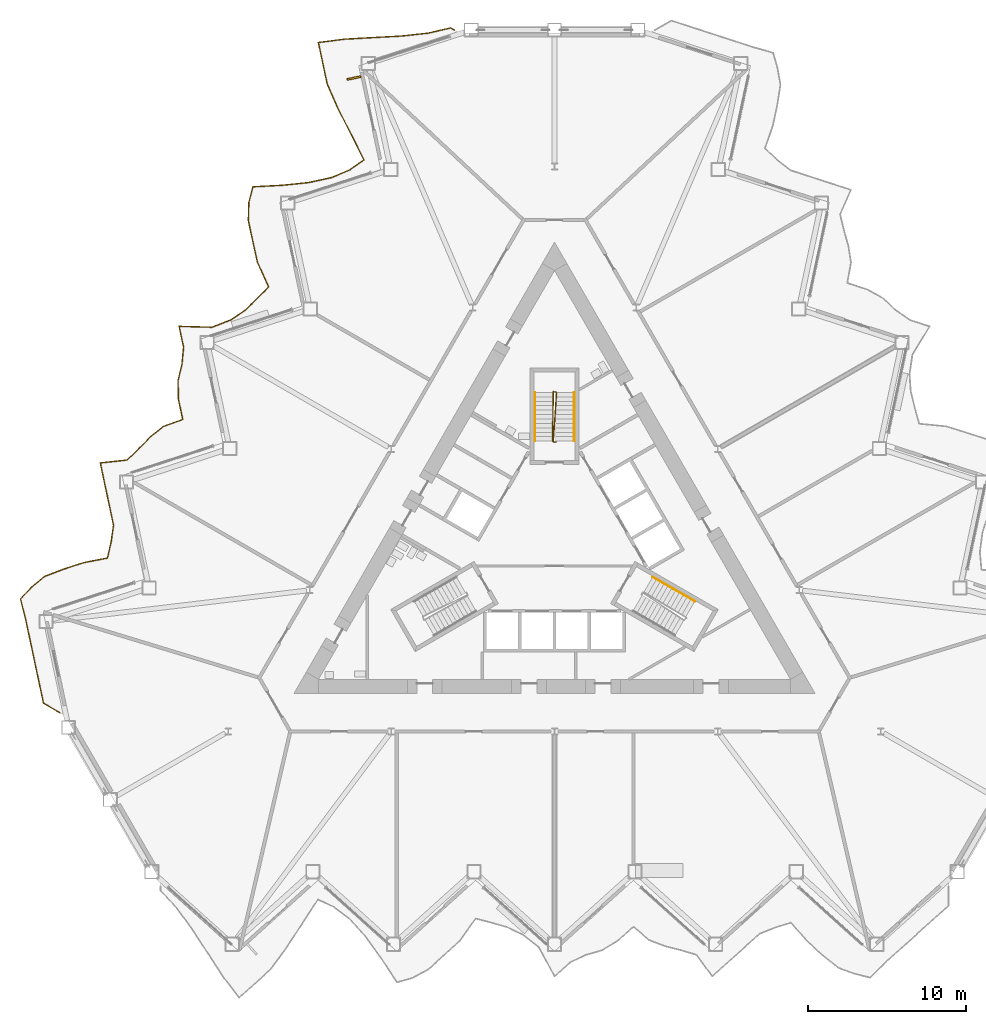
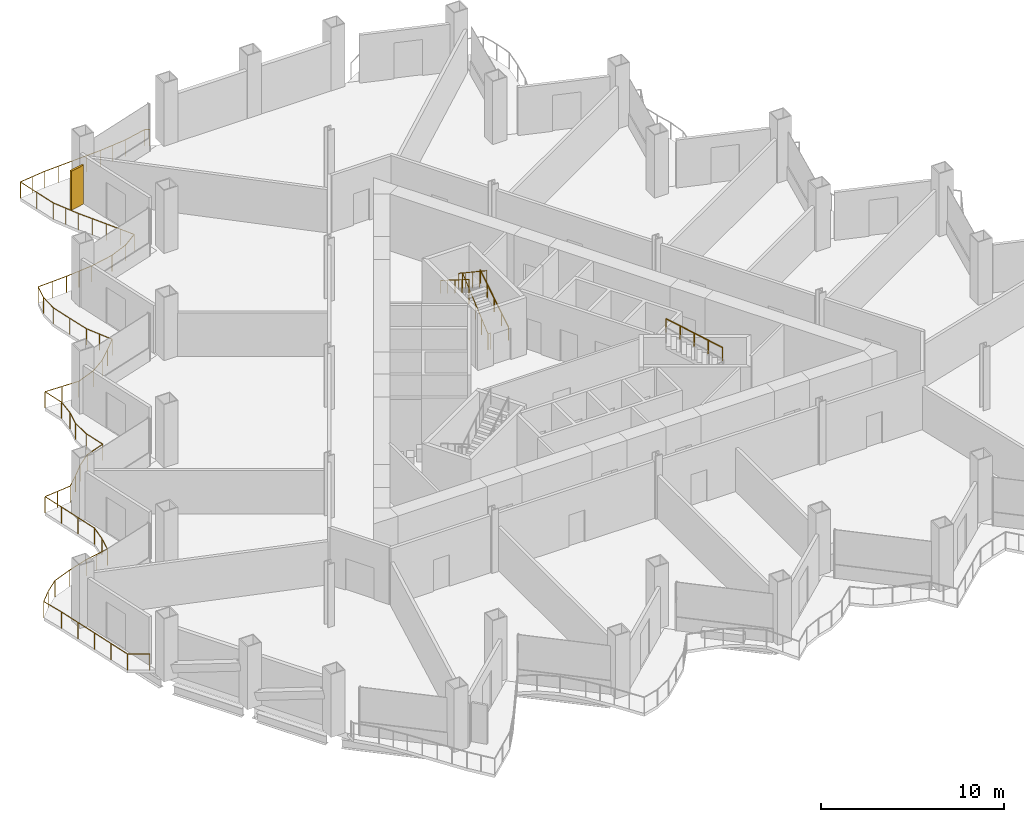
# One storey, part 18 of 21: 5 railings, 1 shading device.
"""IFC4 building model written with IfcOpenShell, lengths in metres."""

from ifc_helpers import new_model, si_unit, direction, frame, origin, origin_2d, place, context, subcontext, project, spatial, rectangle, circle, extrude, material, layer, layer_set, type_object, element, save


model = new_model("IFC4")

# Units and contexts
model_context = context("Model", 3, precision=1e-05, world=origin(), true_north=direction((0.0, 1.0)))
body_context = subcontext(model_context, "Body", "Model", "MODEL_VIEW")
ifc_project = project(units=[si_unit("LENGTHUNIT", "METRE"), si_unit("AREAUNIT", "SQUARE_METRE"), si_unit("VOLUMEUNIT", "CUBIC_METRE"), si_unit("PLANEANGLEUNIT", "RADIAN"), si_unit("MASSUNIT", "GRAM", prefix="KILO")], contexts=[model_context])

# Site, building, storey
site_placement = place(None, origin())
site = spatial("IfcSite", under=ifc_project, at=site_placement, CompositionType="ELEMENT")
building_placement = place(site_placement, origin())
building = spatial("IfcBuilding", under=site, at=building_placement, Name="Cormorant Prow Tower", CompositionType="ELEMENT")
storey_placement = place(building_placement, frame((0.0, 0.0, 108.0)))
storey = spatial("IfcBuildingStorey", under=building, at=storey_placement, Name="L22", CompositionType="ELEMENT", Elevation=108.0)

# Railings
ifc_material_1 = material(Name="Aluminium 6063-T6", Category="aluminium")
railing_type_1 = type_object("IfcRailingType", Name="Balcony guard 1100", PredefinedType="GUARDRAIL", material=ifc_material_1)
railing_1_placement = place(storey_placement, frame((-6.34130859375, 32.486328125, 0.0)))
element("IfcRailing", 1, at=railing_1_placement, inside=storey, type_object=railing_type_1, Name="Balcony guard WNW", PredefinedType="GUARDRAIL", context=body_context, shape_type="SweptSolid", body=[
    extrude(circle(Radius=0.02392578125, at=origin_2d()), frame((0.0, 0.0, 1.076171875), z_axis=(-0.866065156741, 0.499931139538, 0.0), x_axis=(-0.499931139538, -0.866065156741, 0.0)), (0.0, 0.0, 1.0), 0.27001953125),
    extrude(circle(Radius=0.02392578125, at=origin_2d()), frame((-0.23388671875, 0.135009765625, 1.076171875), z_axis=(-0.974208031285, -0.225651748895, 0.0), x_axis=(0.225651748895, -0.974208031285, 0.0)), (0.0, 0.0, 1.0), 1.462890625),
    extrude(circle(Radius=0.02392578125, at=origin_2d()), frame((-1.658935546875, -0.195068359375, 1.076171875), z_axis=(-0.994093392197, -0.108528003713, 0.0), x_axis=(0.108528003713, -0.994093392197, 0.0)), (0.0, 0.0, 1.0), 1.689453125),
    extrude(circle(Radius=0.02392578125, at=origin_2d()), frame((-3.33837890625, -0.37841796875, 1.076171875), z_axis=(-0.998513329159, -0.054508086473, 0.0), x_axis=(0.054508086473, -0.998513329159, 0.0)), (0.0, 0.0, 1.0), 1.827392578125),
    extrude(circle(Radius=0.02392578125, at=origin_2d()), frame((-5.1630859375, -0.47802734375, 1.076171875), z_axis=(-0.998448800774, -0.055677573877, 0.0), x_axis=(0.055677573877, -0.998448800774, 0.0)), (0.0, 0.0, 1.0), 1.82421875),
    extrude(circle(Radius=0.02392578125, at=origin_2d()), frame((-6.984375, -0.57958984375, 1.076171875), z_axis=(-0.991701104637, -0.128564843805, 0.0), x_axis=(0.128564843805, -0.991701104637, 0.0)), (0.0, 0.0, 1.0), 1.64453125),
    extrude(circle(Radius=0.02392578125, at=origin_2d()), frame((-8.615234375, -0.791015625, 1.076171875), z_axis=(0.208052164707, -0.978117731544, 0.0), x_axis=(0.978117731544, 0.208052164707, 0.0)), (0.0, 0.0, 1.0), 1.343505859375),
    extrude(circle(Radius=0.02392578125, at=origin_2d()), frame((-8.335693359375, -2.105224609375, 1.076171875), z_axis=(0.207841372786, -0.978162544651, 0.0), x_axis=(0.978162544651, 0.207841372786, 0.0)), (0.0, 0.0, 1.0), 1.34375),
    extrude(circle(Radius=0.02392578125, at=origin_2d()), frame((-8.056396484375, -3.419677734375, 1.076171875), z_axis=(0.402078851304, -0.915605044402, 0.0), x_axis=(0.915605044402, 0.402078851304, 0.0)), (0.0, 0.0, 1.0), 1.686767578125),
    extrude(circle(Radius=0.02392578125, at=origin_2d()), frame((-7.378173828125, -4.964111328125, 1.076171875), z_axis=(0.453072437858, -0.891473704634, 0.0), x_axis=(0.891473704634, 0.453072437858, 0.0)), (0.0, 0.0, 1.0), 1.83056640625),
    extrude(circle(Radius=0.02392578125, at=origin_2d()), frame((-6.548828125, -6.595947265625, 1.076171875), z_axis=(0.449733437258, -0.893162826931, 0.0), x_axis=(0.893162826931, 0.449733437258, 0.0)), (0.0, 0.0, 1.0), 1.8203125),
    extrude(circle(Radius=0.02392578125, at=origin_2d()), frame((-5.730224609375, -8.2216796875, 1.076171875), z_axis=(-0.815561274573, -0.57867072452, 0.0), x_axis=(0.57867072452, -0.815561274573, 0.0)), (0.0, 0.0, 1.0), 1.0986328125),
    extrude(circle(Radius=0.02392578125, at=origin_2d()), frame((-6.626220703125, -8.857421875, 1.076171875), z_axis=(-0.922344268142, -0.386369060648, 0.0), x_axis=(0.386369060648, -0.922344268142, 0.0)), (0.0, 0.0, 1.0), 1.2548828125),
    extrude(circle(Radius=0.02392578125, at=origin_2d()), frame((-7.78369140625, -9.34228515625, 1.076171875), z_axis=(-0.977257889972, -0.212054277219, 0.0), x_axis=(0.212054277219, -0.977257889972, 0.0)), (0.0, 0.0, 1.0), 1.485107421875),
    extrude(circle(Radius=0.02392578125, at=origin_2d()), frame((-9.235107421875, -9.6572265625, 1.076171875), z_axis=(-0.994890284036, -0.100961986565, 0.0), x_axis=(0.100961986565, -0.994890284036, 0.0)), (0.0, 0.0, 1.0), 1.707275390625),
    extrude(circle(Radius=0.02392578125, at=origin_2d()), frame((-10.93359375, -9.82958984375, 1.076171875), z_axis=(-0.998629576074, -0.052335167809, 0.0), x_axis=(0.052335167809, -0.998629576074, 0.0)), (0.0, 0.0, 1.0), 1.833251953125),
    extrude(circle(Radius=0.02392578125, at=origin_2d()), frame((-12.764404296875, -9.925537109375, 1.076171875), z_axis=(-0.246410019417, -0.969165673314, 0.0), x_axis=(0.969165673314, -0.246410019417, 0.0)), (0.0, 0.0, 1.0), 1.037353515625),
    extrude(circle(Radius=0.02392578125, at=origin_2d()), frame((-13.02001953125, -10.930908203125, 1.076171875), z_axis=(-0.025561048195, -0.999673263029, 0.0), x_axis=(0.999673263029, -0.025561048195, 0.0)), (0.0, 0.0, 1.0), 1.13671875),
    extrude(circle(Radius=0.02392578125, at=origin_2d()), frame((-13.049072265625, -12.067138671875, 1.076171875), z_axis=(0.207878315131, -0.97815469436, 0.0), x_axis=(0.97815469436, 0.207878315131, 0.0)), (0.0, 0.0, 1.0), 1.343505859375),
    extrude(circle(Radius=0.02392578125, at=origin_2d()), frame((-12.769775390625, -13.38134765625, 1.076171875), z_axis=(0.217978561128, -0.975953557752, 0.0), x_axis=(0.975953557752, 0.217978561128, 0.0)), (0.0, 0.0, 1.0), 1.3564453125),
    extrude(circle(Radius=0.02392578125, at=origin_2d()), frame((-12.47412109375, -14.705078125, 1.076171875), z_axis=(0.413256064466, -0.910614861059, 0.0), x_axis=(0.910614861059, 0.413256064466, 0.0)), (0.0, 0.0, 1.0), 1.715576171875),
    extrude(circle(Radius=0.02392578125, at=origin_2d()), frame((-11.76513671875, -16.267333984375, 1.076171875), z_axis=(-0.700447621044, -0.713703811236, 0.0), x_axis=(0.713703811236, -0.700447621044, 0.0)), (0.0, 0.0, 1.0), 1.03125),
    extrude(circle(Radius=0.02392578125, at=origin_2d()), frame((-12.487548828125, -17.00341796875, 1.076171875), z_axis=(-0.719336669645, -0.694661612372, 0.0), x_axis=(0.694661612372, -0.719336669645, 0.0)), (0.0, 0.0, 1.0), 1.038818359375),
    extrude(circle(Radius=0.02392578125, at=origin_2d()), frame((-13.23486328125, -17.72509765625, 1.076171875), z_axis=(-0.826865061735, -0.562400364227, 0.0), x_axis=(0.562400364227, -0.826865061735, 0.0)), (0.0, 0.0, 1.0), 1.108642578125),
    extrude(circle(Radius=0.02392578125, at=origin_2d()), frame((-14.151611328125, -18.3486328125, 1.076171875), z_axis=(-0.92968769206, -0.368348741319, 0.0), x_axis=(0.368348741319, -0.92968769206, 0.0)), (0.0, 0.0, 1.0), 1.27392578125),
    extrude(circle(Radius=0.02392578125, at=origin_2d()), frame((-15.3359375, -18.81787109375, 1.076171875), z_axis=(-0.999634884856, 0.027020306803, 0.0), x_axis=(-0.027020306803, -0.999634884856, 0.0)), (0.0, 0.0, 1.0), 2.09619140625),
    extrude(circle(Radius=0.02392578125, at=origin_2d()), frame((-17.431396484375, -18.76123046875, 1.076171875), z_axis=(0.207878315131, -0.97815469436, 0.0), x_axis=(0.97815469436, 0.207878315131, 0.0)), (0.0, 0.0, 1.0), 1.343505859375),
    extrude(circle(Radius=0.02392578125, at=origin_2d()), frame((-17.152099609375, -20.075439453125, 1.076171875), z_axis=(-0.089635498622, -0.995974636919, 0.0), x_axis=(0.995974636919, -0.089635498622, 0.0)), (0.0, 0.0, 1.0), 1.100341796875),
    extrude(circle(Radius=0.02392578125, at=origin_2d()), frame((-17.250732421875, -21.17138671875, 1.076171875), z_axis=(-0.23678870111, -0.971561172046, 0.0), x_axis=(0.971561172046, -0.23678870111, 0.0)), (0.0, 0.0, 1.0), 1.040283203125),
    extrude(circle(Radius=0.02392578125, at=origin_2d()), frame((-17.4970703125, -22.18212890625, 1.076171875), z_axis=(0.011984000586, -0.999928189287, 0.0), x_axis=(0.999928189287, 0.011984000586, 0.0)), (0.0, 0.0, 1.0), 1.1611328125),
    extrude(circle(Radius=0.02392578125, at=origin_2d()), frame((-17.483154296875, -23.34326171875, 1.076171875), z_axis=(0.208015194261, -0.978125594674, 0.0), x_axis=(0.978125594674, 0.208015194261, 0.0)), (0.0, 0.0, 1.0), 1.34375),
    extrude(circle(Radius=0.02392578125, at=origin_2d()), frame((-17.20361328125, -24.65771484375, 1.076171875), z_axis=(-0.941072859888, -0.338203891733, 0.0), x_axis=(0.338203891733, -0.941072859888, 0.0)), (0.0, 0.0, 1.0), 1.30810546875),
    extrude(circle(Radius=0.02392578125, at=origin_2d()), frame((-18.4345703125, -25.10009765625, 1.076171875), z_axis=(-0.777090675127, -0.629388657851, 0.0), x_axis=(0.629388657851, -0.777090675127, 0.0)), (0.0, 0.0, 1.0), 1.0693359375),
    extrude(circle(Radius=0.02392578125, at=origin_2d()), frame((-19.265625, -25.773193359375, 1.076171875), z_axis=(-0.69708177797, -0.71699162814, 0.0), x_axis=(0.71699162814, -0.69708177797, 0.0)), (0.0, 0.0, 1.0), 1.030029296875),
    extrude(circle(Radius=0.02392578125, at=origin_2d()), frame((-19.983642578125, -26.51171875, 1.076171875), z_axis=(-0.72674021298, -0.686912412785, 0.0), x_axis=(0.686912412785, -0.72674021298, 0.0)), (0.0, 0.0, 1.0), 1.0419921875),
    extrude(circle(Radius=0.02392578125, at=origin_2d()), frame((-20.740966796875, -27.2275390625, 1.076171875), z_axis=(-0.994257752133, -0.107011785913, 0.0), x_axis=(0.107011785913, -0.994257752133, 0.0)), (0.0, 0.0, 1.0), 1.69287109375),
    extrude(circle(Radius=0.02392578125, at=origin_2d()), frame((-22.424072265625, -27.40869140625, 1.076171875), z_axis=(0.207841372786, -0.978162544651, 0.0), x_axis=(0.978162544651, 0.207841372786, 0.0)), (0.0, 0.0, 1.0), 1.34375),
    extrude(circle(Radius=0.02392578125, at=origin_2d()), frame((-22.144775390625, -28.72314453125, 1.076171875), z_axis=(0.207878315131, -0.97815469436, 0.0), x_axis=(0.97815469436, 0.207878315131, 0.0)), (0.0, 0.0, 1.0), 1.343505859375),
    extrude(circle(Radius=0.02392578125, at=origin_2d()), frame((-21.865478515625, -30.037353515625, 1.076171875), z_axis=(0.208052164707, -0.978117731544, 0.0), x_axis=(0.978117731544, 0.208052164707, 0.0)), (0.0, 0.0, 1.0), 1.343505859375),
    extrude(circle(Radius=0.02392578125, at=origin_2d()), frame((-21.5859375, -31.3515625, 1.076171875), z_axis=(-0.140373577636, -0.990098610595, 0.0), x_axis=(0.990098610595, -0.140373577636, 0.0)), (0.0, 0.0, 1.0), 1.07666015625),
    extrude(circle(Radius=0.02392578125, at=origin_2d()), frame((-21.737060546875, -32.41748046875, 1.076171875), z_axis=(-0.225713549711, -0.974193714554, 0.0), x_axis=(0.974193714554, -0.225713549711, 0.0)), (0.0, 0.0, 1.0), 1.043701171875),
    extrude(circle(Radius=0.02392578125, at=origin_2d()), frame((-21.97265625, -33.434326171875, 1.076171875), z_axis=(-0.982327382029, -0.18717081641, 0.0), x_axis=(0.18717081641, -0.982327382029, 0.0)), (0.0, 0.0, 1.0), 1.52880859375),
    extrude(circle(Radius=0.02392578125, at=origin_2d()), frame((-23.474365234375, -33.720458984375, 1.076171875), z_axis=(-0.951036739297, -0.309077855091, 0.0), x_axis=(0.309077855091, -0.951036739297, 0.0)), (0.0, 0.0, 1.0), 1.343505859375),
    extrude(circle(Radius=0.02392578125, at=origin_2d()), frame((-24.752197265625, -34.1357421875, 1.076171875), z_axis=(-0.933237727243, -0.359259438916, 0.0), x_axis=(0.359259438916, -0.933237727243, 0.0)), (0.0, 0.0, 1.0), 1.28369140625),
    extrude(circle(Radius=0.02392578125, at=origin_2d()), frame((-25.9501953125, -34.596923828125, 1.076171875), z_axis=(-0.766505200565, -0.642238100323, 0.0), x_axis=(0.642238100323, -0.766505200565, 0.0)), (0.0, 0.0, 1.0), 1.06298828125),
    extrude(circle(Radius=0.02392578125, at=origin_2d()), frame((-26.764892578125, -35.279541015625, 1.076171875), z_axis=(-0.694784986374, -0.719217507233, 0.0), x_axis=(0.719217507233, -0.694784986374, 0.0)), (0.0, 0.0, 1.0), 1.029296875),
    extrude(circle(Radius=0.02392578125, at=origin_2d()), frame((-27.47998046875, -36.019775390625, 1.076171875), z_axis=(0.245790720353, -0.969322919253, 0.0), x_axis=(0.969322919253, 0.245790720353, 0.0)), (0.0, 0.0, 1.0), 1.3935546875),
    extrude(circle(Radius=0.02392578125, at=origin_2d()), frame((-27.137451171875, -37.37060546875, 1.076171875), z_axis=(0.208052164707, -0.978117731544, 0.0), x_axis=(0.978117731544, 0.208052164707, 0.0)), (0.0, 0.0, 1.0), 1.343505859375),
    extrude(circle(Radius=0.02392578125, at=origin_2d()), frame((-26.85791015625, -38.684814453125, 1.076171875), z_axis=(0.207841372786, -0.978162544651, 0.0), x_axis=(0.978162544651, 0.207841372786, 0.0)), (0.0, 0.0, 1.0), 1.34375),
    extrude(circle(Radius=0.02392578125, at=origin_2d()), frame((-26.57861328125, -39.999267578125, 1.076171875), z_axis=(0.207878315131, -0.97815469436, 0.0), x_axis=(0.97815469436, 0.207878315131, 0.0)), (0.0, 0.0, 1.0), 1.343505859375),
    extrude(circle(Radius=0.02392578125, at=origin_2d()), frame((-26.29931640625, -41.3134765625, 1.076171875), z_axis=(0.207841372786, -0.978162544651, 0.0), x_axis=(0.978162544651, 0.207841372786, 0.0)), (0.0, 0.0, 1.0), 1.34375),
    extrude(circle(Radius=0.02392578125, at=origin_2d()), frame((-26.02001953125, -42.6279296875, 1.076171875), z_axis=(0.866092288191, -0.499884134912, 0.0), x_axis=(0.499884134912, 0.866092288191, 0.0)), (0.0, 0.0, 1.0), 1.219970703125),
    extrude(circle(Radius=0.02099609375, at=origin_2d()), origin(), (0.0, 0.0, 1.0), 1.052001953125),
    extrude(circle(Radius=0.02099609375, at=origin_2d()), frame((-0.23388671875, 0.135009765625, 0.0)), (0.0, 0.0, 1.0), 1.052001953125),
    extrude(circle(Radius=0.02099609375, at=origin_2d()), frame((-1.658935546875, -0.195068359375, 0.0)), (0.0, 0.0, 1.0), 1.052001953125),
    extrude(circle(Radius=0.02099609375, at=origin_2d()), frame((-2.49853515625, -0.28662109375, 0.0)), (0.0, 0.0, 1.0), 1.052001953125),
    extrude(circle(Radius=0.02099609375, at=origin_2d()), frame((-3.33837890625, -0.37841796875, 0.0)), (0.0, 0.0, 1.0), 1.052001953125),
    extrude(circle(Radius=0.02099609375, at=origin_2d()), frame((-4.250732421875, -0.42822265625, 0.0)), (0.0, 0.0, 1.0), 1.052001953125),
    extrude(circle(Radius=0.02099609375, at=origin_2d()), frame((-5.1630859375, -0.47802734375, 0.0)), (0.0, 0.0, 1.0), 1.052001953125),
    extrude(circle(Radius=0.02099609375, at=origin_2d()), frame((-6.07373046875, -0.52880859375, 0.0)), (0.0, 0.0, 1.0), 1.052001953125),
    extrude(circle(Radius=0.02099609375, at=origin_2d()), frame((-6.984375, -0.57958984375, 0.0)), (0.0, 0.0, 1.0), 1.052001953125),
    extrude(circle(Radius=0.02099609375, at=origin_2d()), frame((-7.7998046875, -0.685302734375, 0.0)), (0.0, 0.0, 1.0), 1.052001953125),
    extrude(circle(Radius=0.02099609375, at=origin_2d()), frame((-8.615234375, -0.791015625, 0.0)), (0.0, 0.0, 1.0), 1.052001953125),
    extrude(circle(Radius=0.02099609375, at=origin_2d()), frame((-8.335693359375, -2.105224609375, 0.0)), (0.0, 0.0, 1.0), 1.052001953125),
    extrude(circle(Radius=0.02099609375, at=origin_2d()), frame((-8.056396484375, -3.419677734375, 0.0)), (0.0, 0.0, 1.0), 1.052001953125),
    extrude(circle(Radius=0.02099609375, at=origin_2d()), frame((-7.71728515625, -4.19189453125, 0.0)), (0.0, 0.0, 1.0), 1.052001953125),
    extrude(circle(Radius=0.02099609375, at=origin_2d()), frame((-7.378173828125, -4.964111328125, 0.0)), (0.0, 0.0, 1.0), 1.052001953125),
    extrude(circle(Radius=0.02099609375, at=origin_2d()), frame((-6.96337890625, -5.780029296875, 0.0)), (0.0, 0.0, 1.0), 1.052001953125),
    extrude(circle(Radius=0.02099609375, at=origin_2d()), frame((-6.548828125, -6.595947265625, 0.0)), (0.0, 0.0, 1.0), 1.052001953125),
    extrude(circle(Radius=0.02099609375, at=origin_2d()), frame((-6.1396484375, -7.40869140625, 0.0)), (0.0, 0.0, 1.0), 1.052001953125),
    extrude(circle(Radius=0.02099609375, at=origin_2d()), frame((-5.730224609375, -8.2216796875, 0.0)), (0.0, 0.0, 1.0), 1.052001953125),
    extrude(circle(Radius=0.02099609375, at=origin_2d()), frame((-6.626220703125, -8.857421875, 0.0)), (0.0, 0.0, 1.0), 1.052001953125),
    extrude(circle(Radius=0.02099609375, at=origin_2d()), frame((-7.78369140625, -9.34228515625, 0.0)), (0.0, 0.0, 1.0), 1.052001953125),
    extrude(circle(Radius=0.02099609375, at=origin_2d()), frame((-9.235107421875, -9.6572265625, 0.0)), (0.0, 0.0, 1.0), 1.052001953125),
    extrude(circle(Radius=0.02099609375, at=origin_2d()), frame((-10.08447265625, -9.743408203125, 0.0)), (0.0, 0.0, 1.0), 1.052001953125),
    extrude(circle(Radius=0.02099609375, at=origin_2d()), frame((-10.93359375, -9.82958984375, 0.0)), (0.0, 0.0, 1.0), 1.052001953125),
    extrude(circle(Radius=0.02099609375, at=origin_2d()), frame((-11.84912109375, -9.87744140625, 0.0)), (0.0, 0.0, 1.0), 1.052001953125),
    extrude(circle(Radius=0.02099609375, at=origin_2d()), frame((-12.764404296875, -9.925537109375, 0.0)), (0.0, 0.0, 1.0), 1.052001953125),
    extrude(circle(Radius=0.02099609375, at=origin_2d()), frame((-13.02001953125, -10.930908203125, 0.0)), (0.0, 0.0, 1.0), 1.052001953125),
    extrude(circle(Radius=0.02099609375, at=origin_2d()), frame((-13.049072265625, -12.067138671875, 0.0)), (0.0, 0.0, 1.0), 1.052001953125),
    extrude(circle(Radius=0.02099609375, at=origin_2d()), frame((-12.769775390625, -13.38134765625, 0.0)), (0.0, 0.0, 1.0), 1.052001953125),
    extrude(circle(Radius=0.02099609375, at=origin_2d()), frame((-12.47412109375, -14.705078125, 0.0)), (0.0, 0.0, 1.0), 1.052001953125),
    extrude(circle(Radius=0.02099609375, at=origin_2d()), frame((-12.11962890625, -15.486328125, 0.0)), (0.0, 0.0, 1.0), 1.052001953125),
    extrude(circle(Radius=0.02099609375, at=origin_2d()), frame((-11.76513671875, -16.267333984375, 0.0)), (0.0, 0.0, 1.0), 1.052001953125),
    extrude(circle(Radius=0.02099609375, at=origin_2d()), frame((-12.487548828125, -17.00341796875, 0.0)), (0.0, 0.0, 1.0), 1.052001953125),
    extrude(circle(Radius=0.02099609375, at=origin_2d()), frame((-13.23486328125, -17.72509765625, 0.0)), (0.0, 0.0, 1.0), 1.052001953125),
    extrude(circle(Radius=0.02099609375, at=origin_2d()), frame((-14.151611328125, -18.3486328125, 0.0)), (0.0, 0.0, 1.0), 1.052001953125),
    extrude(circle(Radius=0.02099609375, at=origin_2d()), frame((-15.3359375, -18.81787109375, 0.0)), (0.0, 0.0, 1.0), 1.052001953125),
    extrude(circle(Radius=0.02099609375, at=origin_2d()), frame((-16.3837890625, -18.78955078125, 0.0)), (0.0, 0.0, 1.0), 1.052001953125),
    extrude(circle(Radius=0.02099609375, at=origin_2d()), frame((-17.431396484375, -18.76123046875, 0.0)), (0.0, 0.0, 1.0), 1.052001953125),
    extrude(circle(Radius=0.02099609375, at=origin_2d()), frame((-17.152099609375, -20.075439453125, 0.0)), (0.0, 0.0, 1.0), 1.052001953125),
    extrude(circle(Radius=0.02099609375, at=origin_2d()), frame((-17.250732421875, -21.17138671875, 0.0)), (0.0, 0.0, 1.0), 1.052001953125),
    extrude(circle(Radius=0.02099609375, at=origin_2d()), frame((-17.4970703125, -22.18212890625, 0.0)), (0.0, 0.0, 1.0), 1.052001953125),
    extrude(circle(Radius=0.02099609375, at=origin_2d()), frame((-17.483154296875, -23.34326171875, 0.0)), (0.0, 0.0, 1.0), 1.052001953125),
    extrude(circle(Radius=0.02099609375, at=origin_2d()), frame((-17.20361328125, -24.65771484375, 0.0)), (0.0, 0.0, 1.0), 1.052001953125),
    extrude(circle(Radius=0.02099609375, at=origin_2d()), frame((-18.4345703125, -25.10009765625, 0.0)), (0.0, 0.0, 1.0), 1.052001953125),
    extrude(circle(Radius=0.02099609375, at=origin_2d()), frame((-19.265625, -25.773193359375, 0.0)), (0.0, 0.0, 1.0), 1.052001953125),
    extrude(circle(Radius=0.02099609375, at=origin_2d()), frame((-19.983642578125, -26.51171875, 0.0)), (0.0, 0.0, 1.0), 1.052001953125),
    extrude(circle(Radius=0.02099609375, at=origin_2d()), frame((-20.740966796875, -27.2275390625, 0.0)), (0.0, 0.0, 1.0), 1.052001953125),
    extrude(circle(Radius=0.02099609375, at=origin_2d()), frame((-21.58251953125, -27.318115234375, 0.0)), (0.0, 0.0, 1.0), 1.052001953125),
    extrude(circle(Radius=0.02099609375, at=origin_2d()), frame((-22.424072265625, -27.40869140625, 0.0)), (0.0, 0.0, 1.0), 1.052001953125),
    extrude(circle(Radius=0.02099609375, at=origin_2d()), frame((-22.144775390625, -28.72314453125, 0.0)), (0.0, 0.0, 1.0), 1.052001953125),
    extrude(circle(Radius=0.02099609375, at=origin_2d()), frame((-21.865478515625, -30.037353515625, 0.0)), (0.0, 0.0, 1.0), 1.052001953125),
    extrude(circle(Radius=0.02099609375, at=origin_2d()), frame((-21.5859375, -31.3515625, 0.0)), (0.0, 0.0, 1.0), 1.052001953125),
    extrude(circle(Radius=0.02099609375, at=origin_2d()), frame((-21.737060546875, -32.41748046875, 0.0)), (0.0, 0.0, 1.0), 1.052001953125),
    extrude(circle(Radius=0.02099609375, at=origin_2d()), frame((-21.97265625, -33.434326171875, 0.0)), (0.0, 0.0, 1.0), 1.052001953125),
    extrude(circle(Radius=0.02099609375, at=origin_2d()), frame((-22.7236328125, -33.577392578125, 0.0)), (0.0, 0.0, 1.0), 1.052001953125),
    extrude(circle(Radius=0.02099609375, at=origin_2d()), frame((-23.474365234375, -33.720458984375, 0.0)), (0.0, 0.0, 1.0), 1.052001953125),
    extrude(circle(Radius=0.02099609375, at=origin_2d()), frame((-24.752197265625, -34.1357421875, 0.0)), (0.0, 0.0, 1.0), 1.052001953125),
    extrude(circle(Radius=0.02099609375, at=origin_2d()), frame((-25.9501953125, -34.596923828125, 0.0)), (0.0, 0.0, 1.0), 1.052001953125),
    extrude(circle(Radius=0.02099609375, at=origin_2d()), frame((-26.764892578125, -35.279541015625, 0.0)), (0.0, 0.0, 1.0), 1.052001953125),
    extrude(circle(Radius=0.02099609375, at=origin_2d()), frame((-27.47998046875, -36.019775390625, 0.0)), (0.0, 0.0, 1.0), 1.052001953125),
    extrude(circle(Radius=0.02099609375, at=origin_2d()), frame((-27.137451171875, -37.37060546875, 0.0)), (0.0, 0.0, 1.0), 1.052001953125),
    extrude(circle(Radius=0.02099609375, at=origin_2d()), frame((-26.85791015625, -38.684814453125, 0.0)), (0.0, 0.0, 1.0), 1.052001953125),
    extrude(circle(Radius=0.02099609375, at=origin_2d()), frame((-26.57861328125, -39.999267578125, 0.0)), (0.0, 0.0, 1.0), 1.052001953125),
    extrude(circle(Radius=0.02099609375, at=origin_2d()), frame((-26.29931640625, -41.3134765625, 0.0)), (0.0, 0.0, 1.0), 1.052001953125),
    extrude(circle(Radius=0.02099609375, at=origin_2d()), frame((-26.02001953125, -42.6279296875, 0.0)), (0.0, 0.0, 1.0), 1.052001953125),
    extrude(circle(Radius=0.02099609375, at=origin_2d()), frame((-24.96337890625, -43.23779296875, 0.0)), (0.0, 0.0, 1.0), 1.052001953125),
])
ifc_material_2 = material(Name="Stainless steel", Category="steel")
railing_type_2 = type_object("IfcRailingType", Name="Stair guard 1100", PredefinedType="GUARDRAIL", material=ifc_material_2)
railing_2_placement = place(storey_placement, frame((0.074951171875, 6.40576171875, 0.0)))
element("IfcRailing", 2, at=railing_2_placement, inside=storey, type_object=railing_type_2, Name="L22 ST3 stair guard 1", PredefinedType="GUARDRAIL", context=body_context, shape_type="SweptSolid", body=[
    extrude(circle(Radius=0.02392578125, at=origin_2d()), frame((0.0, 0.0, 1.076171875), z_axis=(-1.0, 0.0, 0.0), x_axis=(0.0, -1.0, 0.0)), (0.0, 0.0, 1.0), 0.14990234375),
    extrude(circle(Radius=0.02392578125, at=origin_2d()), frame((-0.14990234375, 0.0, 1.076171875), z_axis=(0.052971918151, 0.829246596605, 0.556366837532), x_axis=(-0.997965923181, 0.063749636618, 0.0)), (0.0, 0.0, 1.0), 3.774658203125),
    extrude(circle(Radius=0.02392578125, at=origin_2d()), frame((0.050048828125, 3.130126953125, 3.17626953125), z_axis=(-0.970072785993, 0.242814311512, 0.0), x_axis=(-0.242814311512, -0.970072785993, 0.0)), (0.0, 0.0, 1.0), 0.2060546875),
    extrude(circle(Radius=0.02392578125, at=origin_2d()), frame((-0.14990234375, 3.18017578125, 3.17626953125), z_axis=(-0.013277099958, -0.830369261271, 0.557055301162), x_axis=(0.999872194171, -0.015987348866, 0.0)), (0.0, 0.0, 1.0), 3.76953125),
    extrude(circle(Radius=0.02099609375, at=origin_2d()), origin(), (0.0, 0.0, 1.0), 1.052001953125),
    extrude(circle(Radius=0.02099609375, at=origin_2d()), frame((-0.14990234375, 0.0, 0.0)), (0.0, 0.0, 1.0), 1.052001953125),
    extrude(circle(Radius=0.02099609375, at=origin_2d()), frame((-0.099853515625, 0.782470703125, 0.52490234375)), (0.0, 0.0, 1.0), 1.052001953125),
    extrude(circle(Radius=0.02099609375, at=origin_2d()), frame((-0.0498046875, 1.56494140625, 1.050048828125)), (0.0, 0.0, 1.0), 1.052001953125),
    extrude(circle(Radius=0.02099609375, at=origin_2d()), frame((0.0, 2.34765625, 1.5751953125)), (0.0, 0.0, 1.0), 1.052001953125),
    extrude(circle(Radius=0.02099609375, at=origin_2d()), frame((0.050048828125, 3.130126953125, 2.10009765625)), (0.0, 0.0, 1.0), 1.052001953125),
    extrude(circle(Radius=0.02099609375, at=origin_2d()), frame((-0.14990234375, 3.18017578125, 2.10009765625)), (0.0, 0.0, 1.0), 1.052001953125),
    extrude(circle(Radius=0.02099609375, at=origin_2d()), frame((-0.162353515625, 2.397705078125, 2.625)), (0.0, 0.0, 1.0), 1.052001953125),
    extrude(circle(Radius=0.02099609375, at=origin_2d()), frame((-0.1748046875, 1.615234375, 3.14990234375)), (0.0, 0.0, 1.0), 1.052001953125),
    extrude(circle(Radius=0.02099609375, at=origin_2d()), frame((-0.1875, 0.83251953125, 3.675048828125)), (0.0, 0.0, 1.0), 1.052001953125),
    extrude(circle(Radius=0.02099609375, at=origin_2d()), frame((-0.199951171875, 0.050048828125, 4.199951171875)), (0.0, 0.0, 1.0), 1.052001953125),
])
ifc_material_3 = material(Name="Stainless steel", Category="steel")
railing_type_3 = type_object("IfcRailingType", Name="Stair handrail 900", PredefinedType="HANDRAIL", material=ifc_material_3)
railing_3_placement = place(storey_placement, frame((8.88037109375, -3.690673828125, 2.27490234375)))
element("IfcRailing", 3, at=railing_3_placement, inside=storey, type_object=railing_type_3, Name="L22 ST2 stair handrail 2", PredefinedType="HANDRAIL", context=body_context, shape_type="SweptSolid", body=[
    extrude(circle(Radius=0.02392578125, at=origin_2d()), frame((0.0, 0.0, 0.8759765625), z_axis=(-0.734394994316, 0.423994474112, 0.52999309264), x_axis=(-0.499992328818, -0.866029832698, 0.0)), (0.0, 0.0, 1.0), 3.63232421875),
    extrude(circle(Radius=0.02099609375, at=origin_2d()), origin(), (0.0, 0.0, 1.0), 0.851806640625),
    extrude(circle(Radius=0.02099609375, at=origin_2d()), frame((-0.6669921875, 0.385009765625, 0.481201171875)), (0.0, 0.0, 1.0), 0.851806640625),
    extrude(circle(Radius=0.02099609375, at=origin_2d()), frame((-1.333740234375, 0.77001953125, 0.96240234375)), (0.0, 0.0, 1.0), 0.851806640625),
    extrude(circle(Radius=0.02099609375, at=origin_2d()), frame((-2.00048828125, 1.155029296875, 1.44384765625)), (0.0, 0.0, 1.0), 0.851806640625),
    extrude(circle(Radius=0.02099609375, at=origin_2d()), frame((-2.66748046875, 1.5400390625, 1.925048828125)), (0.0, 0.0, 1.0), 0.851806640625),
])
railing_4_placement = place(storey_placement, frame((1.243896484375, 6.455810546875, 0.175048828125)))
element("IfcRailing", 4, at=railing_4_placement, inside=storey, type_object=railing_type_3, Name="L22 ST3 stair handrail 1", PredefinedType="HANDRAIL", context=body_context, shape_type="SweptSolid", body=[
    extrude(circle(Radius=0.02392578125, at=origin_2d()), frame((0.0, 0.0, 0.8759765625), z_axis=(0.0, 0.847998304005, 0.529998940003), x_axis=(-1.0, 0.0, 0.0)), (0.0, 0.0, 1.0), 3.632080078125),
    extrude(circle(Radius=0.02099609375, at=origin_2d()), origin(), (0.0, 0.0, 1.0), 0.851806640625),
    extrude(circle(Radius=0.02099609375, at=origin_2d()), frame((0.0, 0.77001953125, 0.481201171875)), (0.0, 0.0, 1.0), 0.851806640625),
    extrude(circle(Radius=0.02099609375, at=origin_2d()), frame((0.0, 1.5400390625, 0.96240234375)), (0.0, 0.0, 1.0), 0.851806640625),
    extrude(circle(Radius=0.02099609375, at=origin_2d()), frame((0.0, 2.31005859375, 1.44384765625)), (0.0, 0.0, 1.0), 0.851806640625),
    extrude(circle(Radius=0.02099609375, at=origin_2d()), frame((0.0, 3.080078125, 1.925048828125)), (0.0, 0.0, 1.0), 0.851806640625),
])
railing_5_placement = place(storey_placement, frame((-1.243896484375, 9.535888671875, 2.27490234375)))
element("IfcRailing", 5, at=railing_5_placement, inside=storey, type_object=railing_type_3, Name="L22 ST3 stair handrail 2", PredefinedType="HANDRAIL", context=body_context, shape_type="SweptSolid", body=[
    extrude(circle(Radius=0.02392578125, at=origin_2d()), frame((0.0, 0.0, 0.8759765625), z_axis=(0.0, -0.847998304005, 0.529998940003), x_axis=(1.0, 0.0, 0.0)), (0.0, 0.0, 1.0), 3.632080078125),
    extrude(circle(Radius=0.02099609375, at=origin_2d()), origin(), (0.0, 0.0, 1.0), 0.851806640625),
    extrude(circle(Radius=0.02099609375, at=origin_2d()), frame((0.0, -0.77001953125, 0.481201171875)), (0.0, 0.0, 1.0), 0.851806640625),
    extrude(circle(Radius=0.02099609375, at=origin_2d()), frame((0.0, -1.5400390625, 0.96240234375)), (0.0, 0.0, 1.0), 0.851806640625),
    extrude(circle(Radius=0.02099609375, at=origin_2d()), frame((0.0, -2.31005859375, 1.44384765625)), (0.0, 0.0, 1.0), 0.851806640625),
    extrude(circle(Radius=0.02099609375, at=origin_2d()), frame((0.0, -3.080078125, 1.925048828125)), (0.0, 0.0, 1.0), 0.851806640625),
])

# Shading device
ifc_material_4 = material(Name="Terracotta", Category="masonry")
ifc_layer = layer(ifc_material_4, 0.1201171875)
ifc_layer_set = layer_set([ifc_layer], Name="Terracotta")
shading_device_type = type_object("IfcShadingDeviceType", Name="Terracotta baguette fin 120x900x2600", PredefinedType="USERDEFINED", material=ifc_layer_set)
shading_device_placement = place(storey_placement, frame((-12.697265625, 29.446044921875, 0.0), z_axis=(0.0, 0.0, 1.0), x_axis=(0.207911769861, -0.978147583933, 0.0)))
element("IfcShadingDevice", 6, at=shading_device_placement, inside=storey, type_object=shading_device_type, Name="Baguette fin WNW01", ObjectType="BAGUETTE", PredefinedType="USERDEFINED", context=body_context, shape_type="SweptSolid", body=[
    extrude(rectangle(XDim=0.1201171875, YDim=0.89990234375, at=origin_2d()), origin(), (0.0, 0.0, 1.0), 2.60009765625),
])

save(model, "model.ifc")
